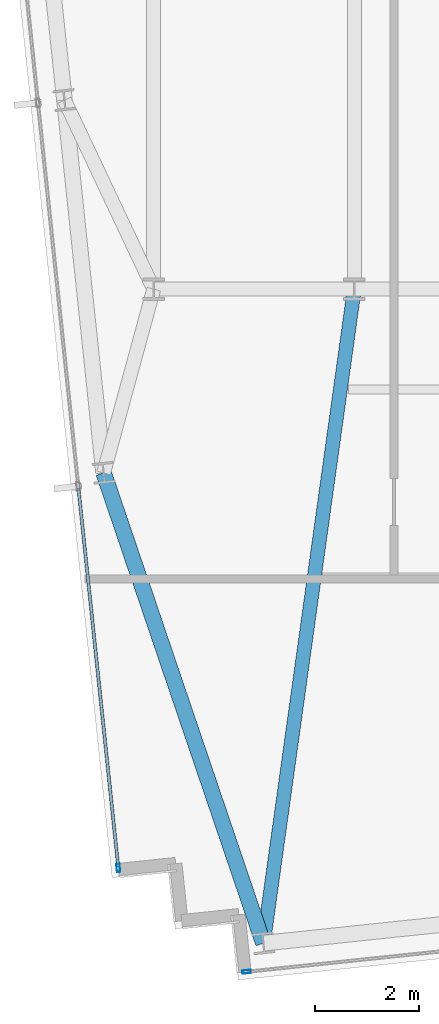
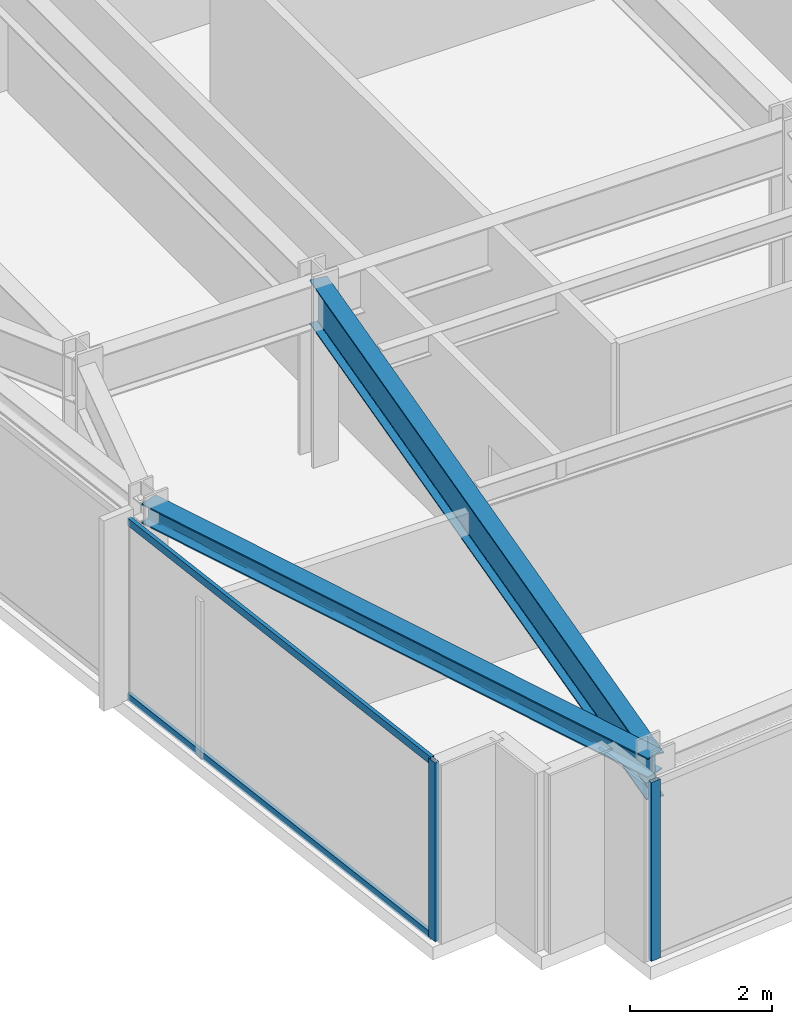
# One storey, part 2 of 32: 4 members, 2 beams, 2 elements without a shape of their own.
"""IFC4 building model written with IfcOpenShell, lengths in metres."""

from ifc_helpers import new_model, si_unit, direction, frame, origin, origin_2d, place, context, subcontext, project, spatial, hollow_rectangle, i_section, extrude, material, material_profile, profile_set, type_object, element, aggregate, save


model = new_model("IFC4")

# Units and contexts
model_context = context("Model", 3, precision=1e-05, world=origin(), true_north=direction((0.0, 1.0)))
body_context = subcontext(model_context, "Body", "Model", "MODEL_VIEW")
ifc_project = project(units=[si_unit("LENGTHUNIT", "METRE"), si_unit("AREAUNIT", "SQUARE_METRE"), si_unit("VOLUMEUNIT", "CUBIC_METRE"), si_unit("PLANEANGLEUNIT", "RADIAN"), si_unit("MASSUNIT", "GRAM", prefix="KILO")], contexts=[model_context])

# Site, building, storey
site_placement = place(None, origin())
site = spatial("IfcSite", under=ifc_project, at=site_placement, CompositionType="ELEMENT")
building_placement = place(site_placement, origin())
building = spatial("IfcBuilding", under=site, at=building_placement, Name="Yelkora Congress Tower", CompositionType="ELEMENT")
storey_placement = place(building_placement, frame((0.0, 0.0, 211.10009765625)))
storey = spatial("IfcBuildingStorey", under=building, at=storey_placement, Name="L58", CompositionType="ELEMENT", Elevation=211.10009765625)

# Beams
ifc_material_1 = material(Name="Steel S355J2", Category="steel")
ifc_material_profile_1 = material_profile(ifc_material_1, i_section(OverallWidth=0.26708984375, OverallDepth=0.761962890625, WebThickness=0.014404296875, FlangeThickness=0.021484375, FilletRadius=0.01708984375, at=origin_2d()), Name="IPE 750x173")
ifc_profile_set_1 = profile_set([ifc_material_profile_1], Name="Steel S355J2")
beam_type_1 = type_object("IfcBeamType", Name="BM-GIRD-IPE750", PredefinedType="BEAM", material=ifc_profile_set_1)
beam_1_placement = place(storey_placement, frame((21.299072265625, 12.678466796875, 2.698974609375), z_axis=(0.137713626184, 0.990472088028, 0.0), x_axis=(-0.990472088028, 0.137713626184, 0.0)))
element("IfcBeam", 1, at=beam_1_placement, inside=storey, type_object=beam_type_1, Name="L58 Primary Frame Girder S01", PredefinedType="BEAM", context=body_context, shape_type="SweptSolid", body=[
    extrude(i_section(OverallWidth=0.26708984375, OverallDepth=0.761962890625, WebThickness=0.014404296875, FlangeThickness=0.021484375, FilletRadius=0.01708984375, at=origin_2d()), origin(), (0.0, 0.0, 1.0), 12.641845703125),
])
ifc_material_profile_2 = material_profile(ifc_material_1, i_section(OverallWidth=0.300048828125, OverallDepth=0.340087890625, WebThickness=0.011962890625, FlangeThickness=0.021484375, FilletRadius=0.027099609375, at=origin_2d()), Name="HEB 340")
ifc_profile_set_2 = profile_set([ifc_material_profile_2], Name="Steel S355J2")
beam_type_2 = type_object("IfcBeamType", Name="BM-SPAN-HEB340", PredefinedType="SPANDREL", material=ifc_profile_set_2)
beam_2_placement = place(storey_placement, frame((18.2412109375, 21.68310546875, 2.909912109375), z_axis=(0.321552459514, -0.94689176561, 0.0), x_axis=(0.94689176561, 0.321552459514, 0.0)))
element("IfcBeam", 2, at=beam_2_placement, inside=storey, type_object=beam_type_2, Name="L58 Perimeter Beam 2", PredefinedType="SPANDREL", context=body_context, shape_type="SweptSolid", body=[
    extrude(i_section(OverallWidth=0.300048828125, OverallDepth=0.340087890625, WebThickness=0.011962890625, FlangeThickness=0.021484375, FilletRadius=0.027099609375, at=origin_2d()), origin(), (0.0, 0.0, 1.0), 9.509765625),
])

# Curtain wall, member
ifc_material_2 = material(Name="Anodised aluminium and insulated glass", Category="aluminium")
curtain_wall_type = type_object("IfcCurtainWallType", Name="CW-SYS-B4", PredefinedType="NOTDEFINED", material=ifc_material_2)
curtain_wall_1_placement = place(storey_placement, origin())
curtain_wall_1 = element("IfcCurtainWall", 3, at=curtain_wall_1_placement, inside=storey, type_object=curtain_wall_type, Name="L58 Unitised Curtain Wall 5", PredefinedType="NOTDEFINED")
ifc_material_3 = material(Name="Anodised aluminium 6063-T6", Category="aluminium")
ifc_material_profile_3 = material_profile(ifc_material_3, hollow_rectangle(XDim=0.06494140625, YDim=0.159912109375, WallThickness=0.00390625, at=origin_2d()), Name="ALU 65x160x4")
ifc_profile_set_3 = profile_set([ifc_material_profile_3], Name="Anodised aluminium 6063-T6")
member_type_1 = type_object("IfcMemberType", Name="MEM-ML-B4", PredefinedType="MULLION", material=ifc_profile_set_3)
member_1_placement = place(storey_placement, frame((18.523193359375, 14.118896484375, 0.0), z_axis=(0.0, 0.0, 1.0), x_axis=(-0.994522145958, -0.104526079034, 0.0)))
member_1 = element("IfcMember", 4, at=member_1_placement, type_object=member_type_1, Name="CW-B4 mullion 1", PredefinedType="MULLION", context=body_context, shape_type="SweptSolid", body=[
    extrude(hollow_rectangle(XDim=0.06494140625, YDim=0.159912109375, WallThickness=0.00390625, at=origin_2d()), origin(), (0.0, 0.0, 1.0), 3.079833984375),
])

curtain_wall_2_placement = place(storey_placement, origin())
curtain_wall_2 = element("IfcCurtainWall", 5, at=curtain_wall_2_placement, inside=storey, type_object=curtain_wall_type, Name="L58 Unitised Curtain Wall 20", PredefinedType="NOTDEFINED")
member_2_placement = place(storey_placement, frame((20.976806640625, 12.1318359375, 0.0), z_axis=(0.0, 0.0, 1.0), x_axis=(0.104526664994, -0.994522084373, 0.0)))
member_2 = element("IfcMember", 6, at=member_2_placement, type_object=member_type_1, Name="CW-B4 mullion 8", PredefinedType="MULLION", context=body_context, shape_type="SweptSolid", body=[
    extrude(hollow_rectangle(XDim=0.06494140625, YDim=0.159912109375, WallThickness=0.00390625, at=origin_2d()), origin(), (0.0, 0.0, 1.0), 3.079833984375),
])
aggregate(curtain_wall_2, [member_2])

# Member
ifc_material_profile_4 = material_profile(ifc_material_3, hollow_rectangle(XDim=0.06005859375, YDim=0.1298828125, WallThickness=0.00390625, at=origin_2d()), Name="ALU 60x130x4")
ifc_profile_set_4 = profile_set([ifc_material_profile_4], Name="Anodised aluminium 6063-T6")
member_type_2 = type_object("IfcMemberType", Name="MEM-TR-B4", PredefinedType="USERDEFINED", material=ifc_profile_set_4)
member_3_placement = place(storey_placement, frame((18.52001953125, 14.151123046875, 0.02978515625), z_axis=(-0.104527725728, 0.994521972886, 0.0), x_axis=(-0.994521972886, -0.104527725728, 0.0)))
member_3 = element("IfcMember", 7, at=member_3_placement, type_object=member_type_2, Name="CW-B4 transom 1.1", ObjectType="TRANSOM", PredefinedType="USERDEFINED", context=body_context, shape_type="SweptSolid", body=[
    extrude(hollow_rectangle(XDim=0.06005859375, YDim=0.1298828125, WallThickness=0.00390625, at=origin_2d()), origin(), (0.0, 0.0, 1.0), 7.282470703125),
])

member_4_placement = place(storey_placement, frame((18.52001953125, 14.151123046875, 3.0498046875), z_axis=(-0.104527725728, 0.994521972886, 0.0), x_axis=(-0.994521972886, -0.104527725728, 0.0)))
member_4 = element("IfcMember", 8, at=member_4_placement, type_object=member_type_2, Name="CW-B4 transom 1.2", ObjectType="TRANSOM", PredefinedType="USERDEFINED", context=body_context, shape_type="SweptSolid", body=[
    extrude(hollow_rectangle(XDim=0.06005859375, YDim=0.1298828125, WallThickness=0.00390625, at=origin_2d()), origin(), (0.0, 0.0, 1.0), 7.282470703125),
])

aggregate(curtain_wall_1, [member_1, member_3, member_4])

save(model, "model.ifc")
